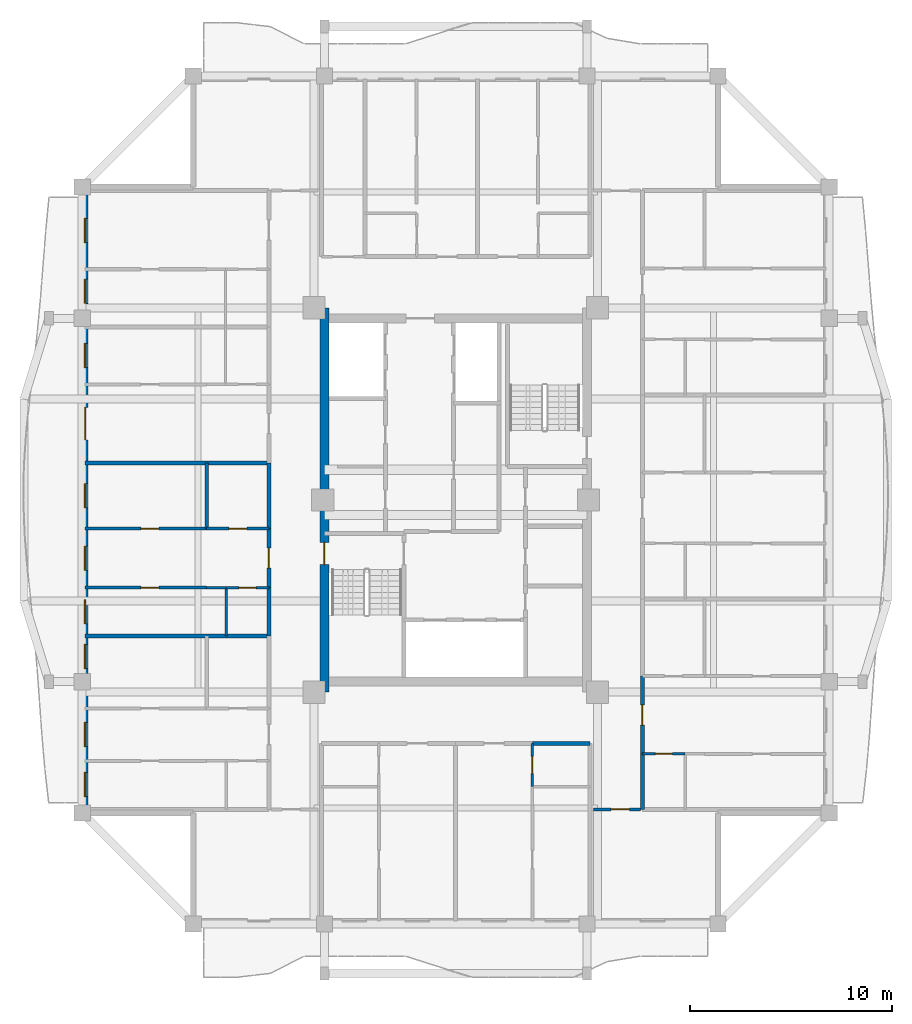
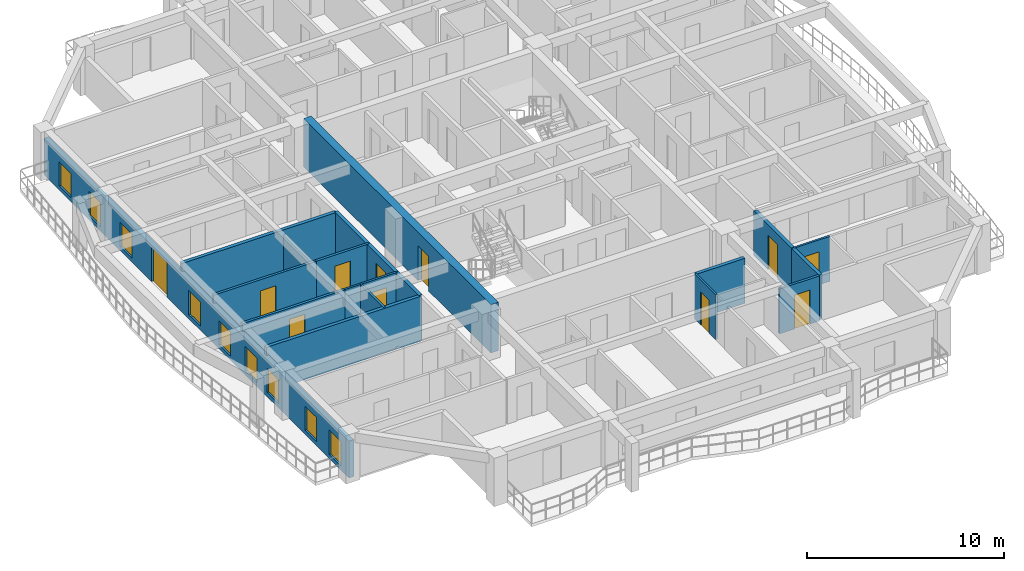
# One storey, part 3 of 13: 20 walls, 11 doors, 9 windows, 20 openings.
"""IFC4 building model written with IfcOpenShell, lengths in metres."""

from ifc_helpers import new_model, si_unit, direction, frame, frame_2d, origin, place, context, subcontext, project, spatial, rectangle, extrude, source, transform, mapped, material, layer, layer_set, type_object, element, fill, save


model = new_model("IFC4")

# Units and contexts
model_context = context("Model", 3, precision=1e-05, world=origin(), true_north=direction((0.0, 1.0)))
body_context = subcontext(model_context, "Body", "Model", "MODEL_VIEW")
ifc_project = project(units=[si_unit("LENGTHUNIT", "METRE"), si_unit("AREAUNIT", "SQUARE_METRE"), si_unit("VOLUMEUNIT", "CUBIC_METRE"), si_unit("PLANEANGLEUNIT", "RADIAN"), si_unit("MASSUNIT", "GRAM", prefix="KILO")], contexts=[model_context])

# Site, building, storey
site_placement = place(None, origin())
site = spatial("IfcSite", under=ifc_project, at=site_placement, CompositionType="ELEMENT")
building_placement = place(site_placement, origin())
building = spatial("IfcBuilding", under=site, at=building_placement, Name="Saelheon Loggia Tower", CompositionType="ELEMENT")
storey_placement = place(building_placement, frame((0.0, 0.0, 199.60009765625)))
storey = spatial("IfcBuildingStorey", under=building, at=storey_placement, Name="L62", CompositionType="ELEMENT", Elevation=199.60009765625)

# Wall, opening, door
ifc_material_1 = material(Name="Concrete C45/55", Category="concrete")
ifc_layer_1 = layer(ifc_material_1, 0.449951171875)
ifc_layer_set_1 = layer_set([ifc_layer_1], Name="Concrete C45/55")
wall_type_1 = type_object("IfcWallType", Name="Wall_CoreShear_450", PredefinedType="SHEAR", material=ifc_layer_set_1)
wall_1_placement = place(storey_placement, frame((31.5, 17.47998046875, 0.0), z_axis=(0.0, 0.0, 1.0), x_axis=(0.0, 1.0, 0.0)))
wall_1 = element("IfcWall", 1, at=wall_1_placement, inside=storey, type_object=wall_type_1, Name="L62 Core Shear Wall West", PredefinedType="SHEAR", context=body_context, shape_type="SweptSolid", body=[
    extrude(rectangle(XDim=19.0400390625, YDim=0.449951171875, at=frame_2d((9.52001953125, 0.0))), origin(), (0.0, 0.0, 1.0), 3.0),
])
opening_1_placement = place(wall_1_placement, frame((6.320068359375, 0.0, 0.0)))
opening_1 = element("IfcOpeningElement", 2, at=opening_1_placement, cuts=wall_1, Name="Opening D-FD2", PredefinedType="OPENING", context=body_context, shape_type="SweptSolid", body=[
    extrude(rectangle(XDim=1.10009765625, YDim=2.14990234375, at=frame_2d((0.550048828125, 1.074951171875))), frame((0.0, 0.237060546875, 0.0), z_axis=(0.0, -1.0, 0.0), x_axis=(1.0, 0.0, 0.0)), (0.0, 0.0, 1.0), 0.473876953125),
])
ifc_material_2 = material(Name="Galvanised Steel Fire Door", Category="steel")
door_type_1 = type_object("IfcDoorType", Name="Door_Fire_FD60_1100", OperationType="NOTDEFINED", PredefinedType="DOOR", material=ifc_material_2)
shared_shape_1 = source(origin(), body_context, "Body", "SweptSolid", [
    extrude(rectangle(XDim=1.10009765625, YDim=2.14990234375, at=frame_2d((0.550048828125, 1.074951171875))), frame((0.0, 0.02490234375, 0.0), z_axis=(0.0, -1.0, 0.0), x_axis=(1.0, 0.0, 0.0)), (0.0, 0.0, 1.0), 0.050048828125),
])
door_1_placement = place(opening_1_placement, origin())
door_1 = element("IfcDoor", 3, at=door_1_placement, inside=storey, type_object=door_type_1, Name="L62 Stair ST1 Corridor Door", OperationType="SINGLE_SWING_LEFT", OverallHeight=2.14990234375, OverallWidth=1.10009765625, PredefinedType="DOOR", context=body_context, shape_type="MappedRepresentation", body=[
    mapped(shared_shape_1, transform((0.0, 0.0, 0.0), scale=1.0)),
])
fill(opening_1, door_1)

# Wall, openings, windows, door
ifc_material_3 = material(Name="Architectural Precast Concrete C40/50", Category="concrete")
ifc_layer_2 = layer(ifc_material_3, 0.280029296875)
ifc_layer_set_2 = layer_set([ifc_layer_2], Name="Architectural Precast Concrete C40/50")
wall_type_2 = type_object("IfcWallType", Name="Wall_Ext_Loggia_280", PredefinedType="SOLIDWALL", material=ifc_layer_set_2)
wall_2_placement = place(storey_placement, frame((19.639892578125, 11.5, 0.0), z_axis=(0.0, 0.0, 1.0), x_axis=(0.0, 1.0, 0.0)))
wall_2 = element("IfcWall", 4, at=wall_2_placement, inside=storey, type_object=wall_type_2, Name="L62 West Loggia Inner Wall", PredefinedType="SOLIDWALL", context=body_context, shape_type="SweptSolid", body=[
    extrude(rectangle(XDim=31.0, YDim=0.280029296875, at=frame_2d((15.5, 0.0))), origin(), (0.0, 0.0, 1.0), 2.27978515625),
])
opening_2_placement = place(wall_2_placement, frame((0.81103515625, 0.0, 0.25)))
opening_2 = element("IfcOpeningElement", 5, at=opening_2_placement, cuts=wall_2, Name="Opening WN-03", PredefinedType="OPENING", context=body_context, shape_type="SweptSolid", body=[
    extrude(rectangle(XDim=1.199951171875, YDim=1.5, at=frame_2d((0.60009765625, 0.75))), frame((0.0, 0.152099609375, 0.0), z_axis=(0.0, -1.0, 0.0), x_axis=(1.0, 0.0, 0.0)), (0.0, 0.0, 1.0), 0.303955078125),
])
opening_3_placement = place(wall_2_placement, frame((3.281005859375, 0.0, 0.25)))
opening_3 = element("IfcOpeningElement", 6, at=opening_3_placement, cuts=wall_2, Name="Opening WN-03", PredefinedType="OPENING", context=body_context, shape_type="SweptSolid", body=[
    extrude(rectangle(XDim=1.199951171875, YDim=1.5, at=frame_2d((0.60009765625, 0.75))), frame((0.0, 0.152099609375, 0.0), z_axis=(0.0, -1.0, 0.0), x_axis=(1.0, 0.0, 0.0)), (0.0, 0.0, 1.0), 0.303955078125),
])
opening_4_placement = place(wall_2_placement, frame((7.149658203125, 0.0, 0.25)))
opening_4 = element("IfcOpeningElement", 7, at=opening_4_placement, cuts=wall_2, Name="Opening WN-03", PredefinedType="OPENING", context=body_context, shape_type="SweptSolid", body=[
    extrude(rectangle(XDim=1.199951171875, YDim=1.5, at=frame_2d((0.60009765625, 0.75))), frame((0.0, 0.152099609375, 0.0), z_axis=(0.0, -1.0, 0.0), x_axis=(1.0, 0.0, 0.0)), (0.0, 0.0, 1.0), 0.303955078125),
])
opening_5_placement = place(wall_2_placement, frame((9.3603515625, 0.0, 0.25)))
opening_5 = element("IfcOpeningElement", 8, at=opening_5_placement, cuts=wall_2, Name="Opening WN-03", PredefinedType="OPENING", context=body_context, shape_type="SweptSolid", body=[
    extrude(rectangle(XDim=1.199951171875, YDim=1.5, at=frame_2d((0.60009765625, 0.75))), frame((0.0, 0.152099609375, 0.0), z_axis=(0.0, -1.0, 0.0), x_axis=(1.0, 0.0, 0.0)), (0.0, 0.0, 1.0), 0.303955078125),
])
opening_6_placement = place(wall_2_placement, frame((12.019775390625, 0.0, 0.25)))
opening_6 = element("IfcOpeningElement", 9, at=opening_6_placement, cuts=wall_2, Name="Opening WN-03", PredefinedType="OPENING", context=body_context, shape_type="SweptSolid", body=[
    extrude(rectangle(XDim=1.199951171875, YDim=1.5, at=frame_2d((0.60009765625, 0.75))), frame((0.0, 0.152099609375, 0.0), z_axis=(0.0, -1.0, 0.0), x_axis=(1.0, 0.0, 0.0)), (0.0, 0.0, 1.0), 0.303955078125),
])
opening_7_placement = place(wall_2_placement, frame((15.1083984375, 0.0, 0.25)))
opening_7 = element("IfcOpeningElement", 10, at=opening_7_placement, cuts=wall_2, Name="Opening WN-03", PredefinedType="OPENING", context=body_context, shape_type="SweptSolid", body=[
    extrude(rectangle(XDim=1.199951171875, YDim=1.5, at=frame_2d((0.60009765625, 0.75))), frame((0.0, 0.152099609375, 0.0), z_axis=(0.0, -1.0, 0.0), x_axis=(1.0, 0.0, 0.0)), (0.0, 0.0, 1.0), 0.303955078125),
])
opening_8_placement = place(wall_2_placement, frame((18.48388671875, 0.0, 0.0)))
opening_8 = element("IfcOpeningElement", 11, at=opening_8_placement, cuts=wall_2, Name="Opening DLG-1", PredefinedType="OPENING", context=body_context, shape_type="SweptSolid", body=[
    extrude(rectangle(XDim=1.60009765625, YDim=2.14990234375, at=frame_2d((0.800048828125, 1.074951171875))), frame((0.0, 0.152099609375, 0.0), z_axis=(0.0, -1.0, 0.0), x_axis=(1.0, 0.0, 0.0)), (0.0, 0.0, 1.0), 0.303955078125),
])
opening_9_placement = place(wall_2_placement, frame((22.05419921875, 0.0, 0.25)))
opening_9 = element("IfcOpeningElement", 12, at=opening_9_placement, cuts=wall_2, Name="Opening WN-03", PredefinedType="OPENING", context=body_context, shape_type="SweptSolid", body=[
    extrude(rectangle(XDim=1.199951171875, YDim=1.5, at=frame_2d((0.60009765625, 0.75))), frame((0.0, 0.152099609375, 0.0), z_axis=(0.0, -1.0, 0.0), x_axis=(1.0, 0.0, 0.0)), (0.0, 0.0, 1.0), 0.303955078125),
])
opening_10_placement = place(wall_2_placement, frame((25.234619140625, 0.0, 0.25)))
opening_10 = element("IfcOpeningElement", 13, at=opening_10_placement, cuts=wall_2, Name="Opening WN-03", PredefinedType="OPENING", context=body_context, shape_type="SweptSolid", body=[
    extrude(rectangle(XDim=1.199951171875, YDim=1.5, at=frame_2d((0.60009765625, 0.75))), frame((0.0, 0.152099609375, 0.0), z_axis=(0.0, -1.0, 0.0), x_axis=(1.0, 0.0, 0.0)), (0.0, 0.0, 1.0), 0.303955078125),
])
opening_11_placement = place(wall_2_placement, frame((28.24462890625, 0.0, 0.25)))
opening_11 = element("IfcOpeningElement", 14, at=opening_11_placement, cuts=wall_2, Name="Opening WN-03", PredefinedType="OPENING", context=body_context, shape_type="SweptSolid", body=[
    extrude(rectangle(XDim=1.199951171875, YDim=1.5, at=frame_2d((0.60009765625, 0.75))), frame((0.0, 0.152099609375, 0.0), z_axis=(0.0, -1.0, 0.0), x_axis=(1.0, 0.0, 0.0)), (0.0, 0.0, 1.0), 0.303955078125),
])
ifc_material_4 = material(Name="Thermal-Break Aluminium and Triple Low-E Glass", Category="aluminium")
window_type = type_object("IfcWindowType", Name="Win_Bedroom_1200x1500", PartitioningType="SINGLE_PANEL", PredefinedType="WINDOW", material=ifc_material_4)
shared_shape_2 = source(origin(), body_context, "Body", "SweptSolid", [
    extrude(rectangle(XDim=1.199951171875, YDim=1.5, at=frame_2d((0.60009765625, 0.75))), frame((0.0, 0.030029296875, 0.0), z_axis=(0.0, -1.0, 0.0), x_axis=(1.0, 0.0, 0.0)), (0.0, 0.0, 1.0), 0.06005859375),
])
window_1_placement = place(opening_2_placement, origin())
window_1 = element("IfcWindow", 15, at=window_1_placement, inside=storey, type_object=window_type, Name="L62 W Dwelling Window 1", OverallHeight=1.5, OverallWidth=1.199951171875, PartitioningType="SINGLE_PANEL", PredefinedType="WINDOW", context=body_context, shape_type="MappedRepresentation", body=[
    mapped(shared_shape_2, transform((0.0, 0.0, 0.0), scale=1.0)),
])
fill(opening_2, window_1)
window_2_placement = place(opening_3_placement, origin())
window_2 = element("IfcWindow", 16, at=window_2_placement, inside=storey, type_object=window_type, Name="L62 W Dwelling Window 2", OverallHeight=1.5, OverallWidth=1.199951171875, PartitioningType="SINGLE_PANEL", PredefinedType="WINDOW", context=body_context, shape_type="MappedRepresentation", body=[
    mapped(shared_shape_2, transform((0.0, 0.0, 0.0), scale=1.0)),
])
fill(opening_3, window_2)
window_3_placement = place(opening_4_placement, origin())
window_3 = element("IfcWindow", 17, at=window_3_placement, inside=storey, type_object=window_type, Name="L62 W Dwelling Window 3", OverallHeight=1.5, OverallWidth=1.199951171875, PartitioningType="SINGLE_PANEL", PredefinedType="WINDOW", context=body_context, shape_type="MappedRepresentation", body=[
    mapped(shared_shape_2, transform((0.0, 0.0, 0.0), scale=1.0)),
])
fill(opening_4, window_3)
window_4_placement = place(opening_5_placement, origin())
window_4 = element("IfcWindow", 18, at=window_4_placement, inside=storey, type_object=window_type, Name="L62 W Dwelling Window 4", OverallHeight=1.5, OverallWidth=1.199951171875, PartitioningType="SINGLE_PANEL", PredefinedType="WINDOW", context=body_context, shape_type="MappedRepresentation", body=[
    mapped(shared_shape_2, transform((0.0, 0.0, 0.0), scale=1.0)),
])
fill(opening_5, window_4)
window_5_placement = place(opening_6_placement, origin())
window_5 = element("IfcWindow", 19, at=window_5_placement, inside=storey, type_object=window_type, Name="L62 W Dwelling Window 5", OverallHeight=1.5, OverallWidth=1.199951171875, PartitioningType="SINGLE_PANEL", PredefinedType="WINDOW", context=body_context, shape_type="MappedRepresentation", body=[
    mapped(shared_shape_2, transform((0.0, 0.0, 0.0), scale=1.0)),
])
fill(opening_6, window_5)
window_6_placement = place(opening_7_placement, origin())
window_6 = element("IfcWindow", 20, at=window_6_placement, inside=storey, type_object=window_type, Name="L62 W Dwelling Window 6", OverallHeight=1.5, OverallWidth=1.199951171875, PartitioningType="SINGLE_PANEL", PredefinedType="WINDOW", context=body_context, shape_type="MappedRepresentation", body=[
    mapped(shared_shape_2, transform((0.0, 0.0, 0.0), scale=1.0)),
])
fill(opening_7, window_6)
window_7_placement = place(opening_9_placement, origin())
window_7 = element("IfcWindow", 21, at=window_7_placement, inside=storey, type_object=window_type, Name="L62 W Dwelling Window 8", OverallHeight=1.5, OverallWidth=1.199951171875, PartitioningType="SINGLE_PANEL", PredefinedType="WINDOW", context=body_context, shape_type="MappedRepresentation", body=[
    mapped(shared_shape_2, transform((0.0, 0.0, 0.0), scale=1.0)),
])
fill(opening_9, window_7)
window_8_placement = place(opening_10_placement, origin())
window_8 = element("IfcWindow", 22, at=window_8_placement, inside=storey, type_object=window_type, Name="L62 W Dwelling Window 9", OverallHeight=1.5, OverallWidth=1.199951171875, PartitioningType="SINGLE_PANEL", PredefinedType="WINDOW", context=body_context, shape_type="MappedRepresentation", body=[
    mapped(shared_shape_2, transform((0.0, 0.0, 0.0), scale=1.0)),
])
fill(opening_10, window_8)
window_9_placement = place(opening_11_placement, origin())
window_9 = element("IfcWindow", 23, at=window_9_placement, inside=storey, type_object=window_type, Name="L62 W Dwelling Window 10", OverallHeight=1.5, OverallWidth=1.199951171875, PartitioningType="SINGLE_PANEL", PredefinedType="WINDOW", context=body_context, shape_type="MappedRepresentation", body=[
    mapped(shared_shape_2, transform((0.0, 0.0, 0.0), scale=1.0)),
])
fill(opening_11, window_9)
ifc_material_5 = material(Name="Thermal-Break Aluminium Sliding Glazed Door", Category="aluminium")
door_type_2 = type_object("IfcDoorType", Name="Door_LoggiaSlide_1600", OperationType="SLIDING_TO_LEFT", PredefinedType="DOOR", material=ifc_material_5)
shared_shape_3 = source(origin(), body_context, "Body", "SweptSolid", [
    extrude(rectangle(XDim=1.60009765625, YDim=2.14990234375, at=frame_2d((0.800048828125, 1.074951171875))), frame((0.0, 0.02490234375, 0.0), z_axis=(0.0, -1.0, 0.0), x_axis=(1.0, 0.0, 0.0)), (0.0, 0.0, 1.0), 0.050048828125),
])
door_2_placement = place(opening_8_placement, origin())
door_2 = element("IfcDoor", 24, at=door_2_placement, inside=storey, type_object=door_type_2, Name="L62 W Loggia Access Door", OperationType="SLIDING_TO_LEFT", OverallHeight=2.14990234375, OverallWidth=1.60009765625, PredefinedType="DOOR", context=body_context, shape_type="MappedRepresentation", body=[
    mapped(shared_shape_3, transform((0.0, 0.0, 0.0), scale=1.0)),
])
fill(opening_8, door_2)

# Wall, opening, door
ifc_material_6 = material(Name="Lightweight Autoclaved Aerated Concrete Block and Acoustic Gypsum", Category="concrete")
ifc_layer_3 = layer(ifc_material_6, 0.14990234375)
ifc_layer_set_3 = layer_set([ifc_layer_3], Name="Lightweight Autoclaved Aerated Concrete Block and Acoustic Gypsum")
wall_type_3 = type_object("IfcWallType", Name="Wall_Part_150", PredefinedType="PARTITIONING", material=ifc_layer_set_3)
wall_3_placement = place(storey_placement, frame((44.820068359375, 11.679931640625, 0.0), z_axis=(0.0, 0.0, 1.0), x_axis=(1.0, 0.0, 0.0)))
wall_3 = element("IfcWall", 25, at=wall_3_placement, inside=storey, type_object=wall_type_3, Name="PW-L62-CSE-H", PredefinedType="PARTITIONING", context=body_context, shape_type="SweptSolid", body=[
    extrude(rectangle(XDim=2.329833984375, YDim=0.14990234375, at=frame_2d((1.1650390625, 0.0))), origin(), (0.0, 0.0, 1.0), 2.789794921875),
])
opening_12_placement = place(wall_3_placement, frame((0.8798828125, 0.0, 0.0)))
opening_12 = element("IfcOpeningElement", 26, at=opening_12_placement, cuts=wall_3, Name="Opening D-IN2", PredefinedType="OPENING", context=body_context, shape_type="SweptSolid", body=[
    extrude(rectangle(XDim=0.89990234375, YDim=2.10009765625, at=frame_2d((0.449951171875, 1.050048828125))), frame((0.0, 0.0869140625, 0.0), z_axis=(0.0, -1.0, 0.0), x_axis=(1.0, 0.0, 0.0)), (0.0, 0.0, 1.0), 0.173828125),
])
ifc_material_7 = material(Name="Engineered Oak Flush Door", Category="timber")
door_type_3 = type_object("IfcDoorType", Name="Door_Int_900", OperationType="NOTDEFINED", PredefinedType="DOOR", material=ifc_material_7)
shared_shape_4 = source(origin(), body_context, "Body", "SweptSolid", [
    extrude(rectangle(XDim=0.89990234375, YDim=2.10009765625, at=frame_2d((0.449951171875, 1.050048828125))), frame((0.0, 0.02490234375, 0.0), z_axis=(0.0, -1.0, 0.0), x_axis=(1.0, 0.0, 0.0)), (0.0, 0.0, 1.0), 0.050048828125),
])
door_3_placement = place(opening_12_placement, origin())
door_3 = element("IfcDoor", 27, at=door_3_placement, inside=storey, type_object=door_type_3, Name="L62 Corner Reading Room SE Door", OperationType="SINGLE_SWING_RIGHT", OverallHeight=2.10009765625, OverallWidth=0.89990234375, PredefinedType="DOOR", context=body_context, shape_type="MappedRepresentation", body=[
    mapped(shared_shape_4, transform((0.0, 0.0, 0.0), scale=1.0)),
])
fill(opening_12, door_3)

# Wall
wall_4_placement = place(storey_placement, frame((25.669921875, 25.578369140625, 0.0), z_axis=(0.0, 0.0, 1.0), x_axis=(0.0, 1.0, 0.0)))
element("IfcWall", 28, at=wall_4_placement, inside=storey, type_object=wall_type_3, Name="L62 W Partition V18", PredefinedType="PARTITIONING", context=body_context, shape_type="SweptSolid", body=[
    extrude(rectangle(XDim=3.260009765625, YDim=0.14990234375, at=frame_2d((1.6298828125, 0.0))), origin(), (0.0, 0.0, 1.0), 2.489990234375),
])

# Wall, opening, door
wall_5_placement = place(storey_placement, frame((25.669921875, 22.661376953125, 0.0), z_axis=(0.0, 0.0, 1.0), x_axis=(-1.0, 0.0, 0.0)))
wall_5 = element("IfcWall", 29, at=wall_5_placement, inside=storey, type_object=wall_type_3, Name="L62 W Partition U21", PredefinedType="PARTITIONING", context=body_context, shape_type="SweptSolid", body=[
    extrude(rectangle(XDim=6.02001953125, YDim=0.14990234375, at=frame_2d((3.010009765625, 0.0))), origin(), (0.0, 0.0, 1.0), 2.789794921875),
])
opening_13_placement = place(wall_5_placement, frame((2.36669921875, 0.0, 0.0)))
opening_13 = element("IfcOpeningElement", 30, at=opening_13_placement, cuts=wall_5, Name="Opening D-IN2", PredefinedType="OPENING", context=body_context, shape_type="SweptSolid", body=[
    extrude(rectangle(XDim=0.89990234375, YDim=2.10009765625, at=frame_2d((0.449951171875, 1.050048828125))), frame((0.0, 0.0869140625, 0.0), z_axis=(0.0, -1.0, 0.0), x_axis=(1.0, 0.0, 0.0)), (0.0, 0.0, 1.0), 0.173828125),
])
door_4_placement = place(opening_13_placement, origin())
door_4 = element("IfcDoor", 31, at=door_4_placement, inside=storey, type_object=door_type_3, Name="Unit U06 Kitchen Door", OperationType="SINGLE_SWING_RIGHT", OverallHeight=2.10009765625, OverallWidth=0.89990234375, PredefinedType="DOOR", context=body_context, shape_type="MappedRepresentation", body=[
    mapped(shared_shape_4, transform((0.0, 0.0, 0.0), scale=1.0)),
])
fill(opening_13, door_4)

wall_6_placement = place(storey_placement, frame((28.75, 25.578369140625, 0.0), z_axis=(0.0, 0.0, 1.0), x_axis=(-1.0, 0.0, 0.0)))
wall_6 = element("IfcWall", 32, at=wall_6_placement, inside=storey, type_object=wall_type_3, Name="L62 W Partition U22", PredefinedType="PARTITIONING", context=body_context, shape_type="SweptSolid", body=[
    extrude(rectangle(XDim=3.080078125, YDim=0.14990234375, at=frame_2d((1.5400390625, 0.0))), origin(), (0.0, 0.0, 1.0), 2.789794921875),
])
opening_14_placement = place(wall_6_placement, frame((1.090087890625, 0.0, 0.0)))
opening_14 = element("IfcOpeningElement", 33, at=opening_14_placement, cuts=wall_6, Name="Opening D-IN2", PredefinedType="OPENING", context=body_context, shape_type="SweptSolid", body=[
    extrude(rectangle(XDim=0.89990234375, YDim=2.10009765625, at=frame_2d((0.449951171875, 1.050048828125))), frame((0.0, 0.0869140625, 0.0), z_axis=(0.0, -1.0, 0.0), x_axis=(1.0, 0.0, 0.0)), (0.0, 0.0, 1.0), 0.173828125),
])
door_5_placement = place(opening_14_placement, origin())
door_5 = element("IfcDoor", 34, at=door_5_placement, inside=storey, type_object=door_type_3, Name="Unit U06 Dressing Closet Door", OperationType="SINGLE_SWING_LEFT", OverallHeight=2.10009765625, OverallWidth=0.89990234375, PredefinedType="DOOR", context=body_context, shape_type="MappedRepresentation", body=[
    mapped(shared_shape_4, transform((0.0, 0.0, 0.0), scale=1.0)),
])
fill(opening_14, door_5)

wall_7_placement = place(storey_placement, frame((25.669921875, 25.578369140625, 0.0), z_axis=(0.0, 0.0, 1.0), x_axis=(-1.0, 0.0, 0.0)))
wall_7 = element("IfcWall", 35, at=wall_7_placement, inside=storey, type_object=wall_type_3, Name="L62 W Partition U23", PredefinedType="PARTITIONING", context=body_context, shape_type="SweptSolid", body=[
    extrude(rectangle(XDim=6.02001953125, YDim=0.14990234375, at=frame_2d((3.010009765625, 0.0))), origin(), (0.0, 0.0, 1.0), 2.789794921875),
])
opening_15_placement = place(wall_7_placement, frame((2.36669921875, 0.0, 0.0)))
opening_15 = element("IfcOpeningElement", 36, at=opening_15_placement, cuts=wall_7, Name="Opening D-IN2", PredefinedType="OPENING", context=body_context, shape_type="SweptSolid", body=[
    extrude(rectangle(XDim=0.89990234375, YDim=2.10009765625, at=frame_2d((0.449951171875, 1.050048828125))), frame((0.0, 0.0869140625, 0.0), z_axis=(0.0, -1.0, 0.0), x_axis=(1.0, 0.0, 0.0)), (0.0, 0.0, 1.0), 0.173828125),
])
door_6_placement = place(opening_15_placement, origin())
door_6 = element("IfcDoor", 37, at=door_6_placement, inside=storey, type_object=door_type_3, Name="Unit U06 Bedroom 1 Door", OperationType="SINGLE_SWING_RIGHT", OverallHeight=2.10009765625, OverallWidth=0.89990234375, PredefinedType="DOOR", context=body_context, shape_type="MappedRepresentation", body=[
    mapped(shared_shape_4, transform((0.0, 0.0, 0.0), scale=1.0)),
])
fill(opening_15, door_6)

# Walls
ifc_material_8 = material(Name="Double Acoustic Stud and Fireboard Partition", Category="gypsum")
ifc_layer_4 = layer(ifc_material_8, 0.199951171875)
ifc_layer_set_4 = layer_set([ifc_layer_4], Name="Double Acoustic Stud and Fireboard Partition")
wall_type_4 = type_object("IfcWallType", Name="Wall_Party_200", PredefinedType="PARTITIONING", material=ifc_layer_set_4)
wall_8_placement = place(storey_placement, frame((41.800048828125, 14.949951171875, 0.0), z_axis=(0.0, 0.0, 1.0), x_axis=(1.0, 0.0, 0.0)))
element("IfcWall", 38, at=wall_8_placement, inside=storey, type_object=wall_type_4, Name="L62 S Partition V11", PredefinedType="PARTITIONING", context=body_context, shape_type="SweptSolid", body=[
    extrude(rectangle(XDim=2.849853515625, YDim=0.199951171875, at=frame_2d((1.4248046875, 0.0))), origin(), (0.0, 0.0, 1.0), 2.789794921875),
])
wall_9_placement = place(storey_placement, frame((28.75, 20.25927734375, 0.0), z_axis=(0.0, 0.0, 1.0), x_axis=(-1.0, 0.0, 0.0)))
element("IfcWall", 39, at=wall_9_placement, inside=storey, type_object=wall_type_4, Name="L62 W Partition U13", PredefinedType="PARTITIONING", context=body_context, shape_type="SweptSolid", body=[
    extrude(rectangle(XDim=9.10009765625, YDim=0.199951171875, at=frame_2d((4.550048828125, 0.0))), origin(), (0.0, 0.0, 1.0), 2.789794921875),
])
wall_10_placement = place(storey_placement, frame((28.75, 20.25927734375, 0.0), z_axis=(0.0, 0.0, 1.0), x_axis=(0.0, 1.0, 0.0)))
element("IfcWall", 40, at=wall_10_placement, inside=storey, type_object=wall_type_4, Name="L62 W Partition V14", PredefinedType="PARTITIONING", context=body_context, shape_type="SweptSolid", body=[
    extrude(rectangle(XDim=2.402099609375, YDim=0.199951171875, at=frame_2d((1.201171875, 0.0))), origin(), (0.0, 0.0, 1.0), 2.789794921875),
])

# Wall, opening, door
wall_11_placement = place(storey_placement, frame((28.75, 22.661376953125, 0.0), z_axis=(0.0, 0.0, 1.0), x_axis=(0.0, 1.0, 0.0)))
wall_11 = element("IfcWall", 41, at=wall_11_placement, inside=storey, type_object=wall_type_4, Name="L62 W Partition V15", PredefinedType="PARTITIONING", context=body_context, shape_type="SweptSolid", body=[
    extrude(rectangle(XDim=2.9169921875, YDim=0.199951171875, at=frame_2d((1.45849609375, 0.0))), origin(), (0.0, 0.0, 1.0), 2.789794921875),
])
opening_16_placement = place(wall_11_placement, frame((0.95849609375, 0.0, 0.0)))
opening_16 = element("IfcOpeningElement", 42, at=opening_16_placement, cuts=wall_11, Name="Opening D-FD1", PredefinedType="OPENING", context=body_context, shape_type="SweptSolid", body=[
    extrude(rectangle(XDim=1.0, YDim=2.14990234375, at=frame_2d((0.5, 1.074951171875))), frame((0.0, 0.112060546875, 0.0), z_axis=(0.0, -1.0, 0.0), x_axis=(1.0, 0.0, 0.0)), (0.0, 0.0, 1.0), 0.223876953125),
])
ifc_material_9 = material(Name="Fire-Rated Engineered Timber Entrance Door", Category="wood")
door_type_4 = type_object("IfcDoorType", Name="Door_Flat_FD30S", OperationType="NOTDEFINED", PredefinedType="DOOR", material=ifc_material_9)
shared_shape_5 = source(origin(), body_context, "Body", "SweptSolid", [
    extrude(rectangle(XDim=1.0, YDim=2.14990234375, at=frame_2d((0.5, 1.074951171875))), frame((0.0, 0.02490234375, 0.0), z_axis=(0.0, -1.0, 0.0), x_axis=(1.0, 0.0, 0.0)), (0.0, 0.0, 1.0), 0.050048828125),
])
door_7_placement = place(opening_16_placement, origin())
door_7 = element("IfcDoor", 43, at=door_7_placement, inside=storey, type_object=door_type_4, Name="Unit U06 Entrance Door", OperationType="SINGLE_SWING_RIGHT", OverallHeight=2.14990234375, OverallWidth=1.0, PredefinedType="DOOR", context=body_context, shape_type="MappedRepresentation", body=[
    mapped(shared_shape_5, transform((0.0, 0.0, 0.0), scale=1.0)),
])
fill(opening_16, door_7)

# Walls
wall_12_placement = place(storey_placement, frame((28.75, 25.578369140625, 0.0), z_axis=(0.0, 0.0, 1.0), x_axis=(0.0, 1.0, 0.0)))
element("IfcWall", 44, at=wall_12_placement, inside=storey, type_object=wall_type_4, Name="L62 W Partition V16", PredefinedType="PARTITIONING", context=body_context, shape_type="SweptSolid", body=[
    extrude(rectangle(XDim=3.260009765625, YDim=0.199951171875, at=frame_2d((1.6298828125, 0.0))), origin(), (0.0, 0.0, 1.0), 2.789794921875),
])
wall_13_placement = place(storey_placement, frame((28.75, 28.83837890625, 0.0), z_axis=(0.0, 0.0, 1.0), x_axis=(-1.0, 0.0, 0.0)))
element("IfcWall", 45, at=wall_13_placement, inside=storey, type_object=wall_type_4, Name="L62 W Partition U24", PredefinedType="PARTITIONING", context=body_context, shape_type="SweptSolid", body=[
    extrude(rectangle(XDim=9.10009765625, YDim=0.199951171875, at=frame_2d((4.550048828125, 0.0))), origin(), (0.0, 0.0, 1.0), 2.789794921875),
])
wall_14_placement = place(storey_placement, frame((47.25, 11.679931640625, 0.0), z_axis=(0.0, 0.0, 1.0), x_axis=(0.0, 1.0, 0.0)))
element("IfcWall", 46, at=wall_14_placement, inside=storey, type_object=wall_type_4, Name="L62 E Partition V03", PredefinedType="PARTITIONING", context=body_context, shape_type="SweptSolid", body=[
    extrude(rectangle(XDim=2.75, YDim=0.199951171875, at=frame_2d((1.375, 0.0))), origin(), (0.0, 0.0, 1.0), 2.789794921875),
])

# Wall, opening, door
wall_15_placement = place(storey_placement, frame((47.25, 14.429931640625, 0.0), z_axis=(0.0, 0.0, 1.0), x_axis=(0.0, 1.0, 0.0)))
wall_15 = element("IfcWall", 47, at=wall_15_placement, inside=storey, type_object=wall_type_4, Name="L62 E Partition V04", PredefinedType="PARTITIONING", context=body_context, shape_type="SweptSolid", body=[
    extrude(rectangle(XDim=3.85009765625, YDim=0.199951171875, at=frame_2d((1.925048828125, 0.0))), origin(), (0.0, 0.0, 1.0), 2.789794921875),
])
opening_17_placement = place(wall_15_placement, frame((1.425048828125, 0.0, 0.0)))
opening_17 = element("IfcOpeningElement", 48, at=opening_17_placement, cuts=wall_15, Name="Opening D-FD1", PredefinedType="OPENING", context=body_context, shape_type="SweptSolid", body=[
    extrude(rectangle(XDim=1.0, YDim=2.14990234375, at=frame_2d((0.5, 1.074951171875))), frame((0.0, 0.112060546875, 0.0), z_axis=(0.0, -1.0, 0.0), x_axis=(1.0, 0.0, 0.0)), (0.0, 0.0, 1.0), 0.223876953125),
])
door_8_placement = place(opening_17_placement, origin())
door_8 = element("IfcDoor", 49, at=door_8_placement, inside=storey, type_object=door_type_4, Name="Unit U09 Entrance Door", OperationType="SINGLE_SWING_LEFT", OverallHeight=2.14990234375, OverallWidth=1.0, PredefinedType="DOOR", context=body_context, shape_type="MappedRepresentation", body=[
    mapped(shared_shape_5, transform((0.0, 0.0, 0.0), scale=1.0)),
])
fill(opening_17, door_8)

ifc_material_10 = material(Name="Moisture-Resistant Cement Board Partition", Category="gypsum")
ifc_layer_5 = layer(ifc_material_10, 0.1201171875)
ifc_layer_set_5 = layer_set([ifc_layer_5], Name="Moisture-Resistant Cement Board Partition")
wall_type_5 = type_object("IfcWallType", Name="Wall_WetPart_120", PredefinedType="PARTITIONING", material=ifc_layer_set_5)
wall_16_placement = place(storey_placement, frame((41.800048828125, 14.949951171875, 0.0), z_axis=(0.0, 0.0, 1.0), x_axis=(0.0, -1.0, 0.0)))
wall_16 = element("IfcWall", 50, at=wall_16_placement, inside=storey, type_object=wall_type_5, Name="L62 S Partition U12", PredefinedType="PARTITIONING", context=body_context, shape_type="SweptSolid", body=[
    extrude(rectangle(XDim=2.14990234375, YDim=0.1201171875, at=frame_2d((1.074951171875, 0.0))), origin(), (0.0, 0.0, 1.0), 2.789794921875),
])
opening_18_placement = place(wall_16_placement, frame((0.64990234375, 0.0, 0.0)))
opening_18 = element("IfcOpeningElement", 51, at=opening_18_placement, cuts=wall_16, Name="Opening D-BT1", PredefinedType="OPENING", context=body_context, shape_type="SweptSolid", body=[
    extrude(rectangle(XDim=0.85009765625, YDim=2.050048828125, at=frame_2d((0.425048828125, 1.02490234375))), frame((0.0, 0.072021484375, 0.0), z_axis=(0.0, -1.0, 0.0), x_axis=(1.0, 0.0, 0.0)), (0.0, 0.0, 1.0), 0.14404296875),
])
ifc_material_11 = material(Name="Moisture-Resistant Laminate Timber Door", Category="wood")
door_type_5 = type_object("IfcDoorType", Name="Door_Bath_850", OperationType="NOTDEFINED", PredefinedType="DOOR", material=ifc_material_11)
shared_shape_6 = source(origin(), body_context, "Body", "SweptSolid", [
    extrude(rectangle(XDim=0.85009765625, YDim=2.050048828125, at=frame_2d((0.425048828125, 1.02490234375))), frame((0.0, 0.02490234375, 0.0), z_axis=(0.0, -1.0, 0.0), x_axis=(1.0, 0.0, 0.0)), (0.0, 0.0, 1.0), 0.050048828125),
])
door_9_placement = place(opening_18_placement, origin())
door_9 = element("IfcDoor", 52, at=door_9_placement, inside=storey, type_object=door_type_5, Name="Unit U02 Bathroom Door", OperationType="SINGLE_SWING_RIGHT", OverallHeight=2.050048828125, OverallWidth=0.85009765625, PredefinedType="DOOR", context=body_context, shape_type="MappedRepresentation", body=[
    mapped(shared_shape_6, transform((0.0, 0.0, 0.0), scale=1.0)),
])
fill(opening_18, door_9)

# Wall
wall_17_placement = place(storey_placement, frame((26.6298828125, 20.25927734375, 0.0), z_axis=(0.0, 0.0, 1.0), x_axis=(0.0, 1.0, 0.0)))
element("IfcWall", 53, at=wall_17_placement, inside=storey, type_object=wall_type_5, Name="L62 W Partition V17", PredefinedType="PARTITIONING", context=body_context, shape_type="SweptSolid", body=[
    extrude(rectangle(XDim=2.402099609375, YDim=0.1201171875, at=frame_2d((1.201171875, 0.0))), origin(), (0.0, 0.0, 1.0), 2.789794921875),
])

# Wall, opening, door
wall_18_placement = place(storey_placement, frame((28.75, 22.661376953125, 0.0), z_axis=(0.0, 0.0, 1.0), x_axis=(-1.0, 0.0, 0.0)))
wall_18 = element("IfcWall", 54, at=wall_18_placement, inside=storey, type_object=wall_type_5, Name="L62 W Partition U19", PredefinedType="PARTITIONING", context=body_context, shape_type="SweptSolid", body=[
    extrude(rectangle(XDim=2.1201171875, YDim=0.1201171875, at=frame_2d((1.06005859375, 0.0))), origin(), (0.0, 0.0, 1.0), 2.789794921875),
])
opening_19_placement = place(wall_18_placement, frame((0.635009765625, 0.0, 0.0)))
opening_19 = element("IfcOpeningElement", 55, at=opening_19_placement, cuts=wall_18, Name="Opening D-BT1", PredefinedType="OPENING", context=body_context, shape_type="SweptSolid", body=[
    extrude(rectangle(XDim=0.85009765625, YDim=2.050048828125, at=frame_2d((0.425048828125, 1.02490234375))), frame((0.0, 0.072021484375, 0.0), z_axis=(0.0, -1.0, 0.0), x_axis=(1.0, 0.0, 0.0)), (0.0, 0.0, 1.0), 0.14404296875),
])
door_10_placement = place(opening_19_placement, origin())
door_10 = element("IfcDoor", 56, at=door_10_placement, inside=storey, type_object=door_type_5, Name="Unit U06 Bathroom Door", OperationType="SINGLE_SWING_LEFT", OverallHeight=2.050048828125, OverallWidth=0.85009765625, PredefinedType="DOOR", context=body_context, shape_type="MappedRepresentation", body=[
    mapped(shared_shape_6, transform((0.0, 0.0, 0.0), scale=1.0)),
])
fill(opening_19, door_10)

# Wall
wall_19_placement = place(storey_placement, frame((26.6298828125, 22.661376953125, 0.0), z_axis=(0.0, 0.0, 1.0), x_axis=(-1.0, 0.0, 0.0)))
element("IfcWall", 57, at=wall_19_placement, inside=storey, type_object=wall_type_5, Name="L62 W Partition U20", PredefinedType="PARTITIONING", context=body_context, shape_type="SweptSolid", body=[
    extrude(rectangle(XDim=0.9599609375, YDim=0.1201171875, at=frame_2d((0.47998046875, 0.0))), origin(), (0.0, 0.0, 1.0), 2.789794921875),
])

# Wall, opening, door
wall_20_placement = place(storey_placement, frame((47.25, 14.429931640625, 0.0), z_axis=(0.0, 0.0, 1.0), x_axis=(1.0, 0.0, 0.0)))
wall_20 = element("IfcWall", 58, at=wall_20_placement, inside=storey, type_object=wall_type_5, Name="L62 E Partition U08", PredefinedType="PARTITIONING", context=body_context, shape_type="SweptSolid", body=[
    extrude(rectangle(XDim=2.1201171875, YDim=0.1201171875, at=frame_2d((1.06005859375, 0.0))), origin(), (0.0, 0.0, 1.0), 2.789794921875),
])
opening_20_placement = place(wall_20_placement, frame((0.635009765625, 0.0, 0.0)))
opening_20 = element("IfcOpeningElement", 59, at=opening_20_placement, cuts=wall_20, Name="Opening D-BT1", PredefinedType="OPENING", context=body_context, shape_type="SweptSolid", body=[
    extrude(rectangle(XDim=0.85009765625, YDim=2.050048828125, at=frame_2d((0.425048828125, 1.02490234375))), frame((0.0, 0.072021484375, 0.0), z_axis=(0.0, -1.0, 0.0), x_axis=(1.0, 0.0, 0.0)), (0.0, 0.0, 1.0), 0.14404296875),
])
door_11_placement = place(opening_20_placement, origin())
door_11 = element("IfcDoor", 60, at=door_11_placement, inside=storey, type_object=door_type_5, Name="Unit U09 Bathroom Door", OperationType="SINGLE_SWING_RIGHT", OverallHeight=2.050048828125, OverallWidth=0.85009765625, PredefinedType="DOOR", context=body_context, shape_type="MappedRepresentation", body=[
    mapped(shared_shape_6, transform((0.0, 0.0, 0.0), scale=1.0)),
])
fill(opening_20, door_11)

save(model, "model.ifc")
